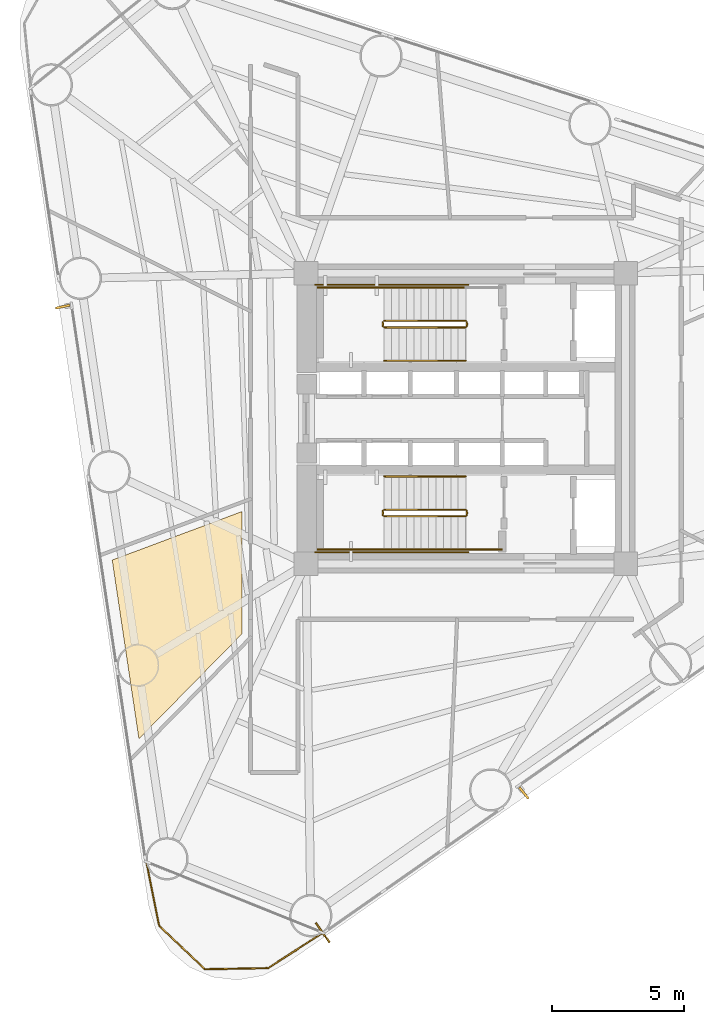
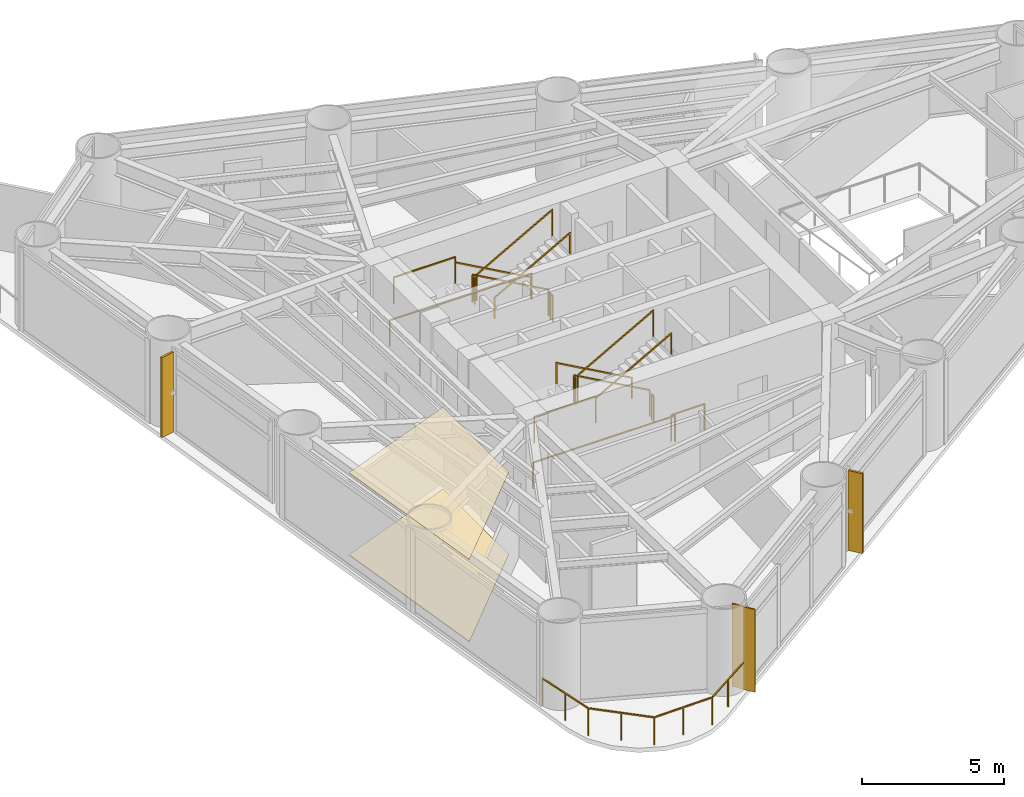
# One storey, part 8 of 9: 18 railings, 3 coverings, 2 shading devices.
"""IFC4 building model written with IfcOpenShell, lengths in metres."""

from ifc_helpers import new_model, si_unit, direction, frame, origin, origin_2d, place, context, subcontext, project, spatial, polyline, rectangle, outline, extrude, source, transform, mapped, material, layer, layer_set, material_profile, profile_set, type_object, element, save


model = new_model("IFC4")

# Units and contexts
model_context = context("Model", 3, precision=1e-05, world=origin(), true_north=direction((0.0, 1.0)))
body_context = subcontext(model_context, "Body", "Model", "MODEL_VIEW")
ifc_project = project(units=[si_unit("LENGTHUNIT", "METRE"), si_unit("AREAUNIT", "SQUARE_METRE"), si_unit("VOLUMEUNIT", "CUBIC_METRE"), si_unit("PLANEANGLEUNIT", "RADIAN"), si_unit("MASSUNIT", "GRAM", prefix="KILO")], contexts=[model_context])

# Site, building, storey
site_placement = place(None, origin())
site = spatial("IfcSite", under=ifc_project, at=site_placement, CompositionType="ELEMENT")
building_placement = place(site_placement, origin())
building = spatial("IfcBuilding", under=site, at=building_placement, Name="Yunling Apex Tower", CompositionType="ELEMENT")
storey_placement = place(building_placement, frame((0.0, 0.0, 77.300048828125)))
storey = spatial("IfcBuildingStorey", under=building, at=storey_placement, Name="L20", CompositionType="ELEMENT", Elevation=77.300048828125)

# Coverings
ifc_material_1 = material(Name="Acoustic mineral fibre ceiling")
ifc_layer_1 = layer(ifc_material_1, 0.02490234375)
ifc_layer_set_1 = layer_set([ifc_layer_1], Name="Acoustic mineral fibre ceiling")
covering_type_1 = type_object("IfcCoveringType", Name="CV-CLG-1", PredefinedType="CEILING", material=ifc_layer_set_1)
covering_1_placement = place(storey_placement, frame((0.0, 0.0, 3.5400390625)))
element("IfcCovering", 1, at=covering_1_placement, inside=storey, type_object=covering_type_1, Name="CV-CL-SP-L20-R01", PredefinedType="CEILING", context=body_context, shape_type="SweptSolid", body=[
    extrude(outline(polyline([(-12.374267578125, -12.121337890625), (-13.38525390625, -5.35693359375), (-8.47998046875, -3.522705078125), (-8.47998046875, -8.158447265625), (-12.374267578125, -12.121337890625)])), origin(), (0.0, 0.0, 1.0), 0.02490234375),
])
ifc_material_2 = material(Name="Polished granite stone", Category="masonry")
ifc_layer_2 = layer(ifc_material_2, 0.030029296875)
ifc_layer_set_2 = layer_set([ifc_layer_2], Name="Polished granite stone")
covering_type_2 = type_object("IfcCoveringType", Name="CV-FLR-1", PredefinedType="FLOORING", material=ifc_layer_set_2)
covering_2_placement = place(storey_placement, origin())
element("IfcCovering", 2, at=covering_2_placement, inside=storey, type_object=covering_type_2, Name="CV-FL-SP-L20-R01", PredefinedType="FLOORING", context=body_context, shape_type="SweptSolid", body=[
    extrude(outline(polyline([(-12.374267578125, -12.121337890625), (-13.38525390625, -5.35693359375), (-8.47998046875, -3.522705078125), (-8.47998046875, -8.158447265625), (-12.374267578125, -12.121337890625)])), origin(), (0.0, 0.0, 1.0), 0.030029296875),
])

# Railings
ifc_material_3 = material(Name="Bronze anodised aluminium", Category="aluminium")
railing_type_1 = type_object("IfcRailingType", Name="RL-BAL-1200", PredefinedType="BALUSTRADE", material=ifc_material_3)
railing_1_placement = place(storey_placement, frame((-5.41552734375, -19.466796875, 0.0)))
element("IfcRailing", 3, at=railing_1_placement, inside=storey, type_object=railing_type_1, Name="RL-CRNSILL-L20-3", PredefinedType="BALUSTRADE", context=body_context, shape_type="SweptSolid", body=[
    extrude(rectangle(XDim=0.0439453125, YDim=0.0439453125, at=origin_2d()), origin(), (0.0, 0.0, 1.0), 1.199951171875),
    extrude(rectangle(XDim=0.0439453125, YDim=0.0439453125, at=origin_2d()), frame((-2.069091796875, -1.3349609375, 0.0)), (0.0, 0.0, 1.0), 1.199951171875),
    extrude(rectangle(XDim=0.050048828125, YDim=0.050048828125, at=origin_2d()), frame((-0.0322265625, -0.020751953125, 1.1748046875), z_axis=(-0.840284992051, -0.542144936464, 0.0), x_axis=(0.542144936464, -0.840284992051, 0.0)), (0.0, 0.0, 1.0), 2.3857421875),
    extrude(rectangle(XDim=0.0439453125, YDim=0.0439453125, at=origin_2d()), frame((-1.03466796875, -0.66748046875, 0.0)), (0.0, 0.0, 1.0), 1.14599609375),
    extrude(rectangle(XDim=0.0439453125, YDim=0.0439453125, at=origin_2d()), frame((-4.456787109375, -1.3779296875, 0.0)), (0.0, 0.0, 1.0), 1.199951171875),
    extrude(rectangle(XDim=0.050048828125, YDim=0.050048828125, at=origin_2d()), frame((-2.107421875, -1.335693359375, 1.1748046875), z_axis=(-0.999838112931, -0.017992996715, 0.0), x_axis=(0.017992996715, -0.999838112931, 0.0)), (0.0, 0.0, 1.0), 2.3115234375),
    extrude(rectangle(XDim=0.0439453125, YDim=0.0439453125, at=origin_2d()), frame((-3.262939453125, -1.3564453125, 0.0)), (0.0, 0.0, 1.0), 1.14599609375),
    extrude(rectangle(XDim=0.0439453125, YDim=0.0439453125, at=origin_2d()), frame((-6.1943359375, 0.271728515625, 0.0)), (0.0, 0.0, 1.0), 1.199951171875),
    extrude(rectangle(XDim=0.050048828125, YDim=0.050048828125, at=origin_2d()), frame((-4.484619140625, -1.3515625, 1.1748046875), z_axis=(-0.725210560755, 0.688527154562, 0.0), x_axis=(-0.688527154562, -0.725210560755, 0.0)), (0.0, 0.0, 1.0), 2.3193359375),
    extrude(rectangle(XDim=0.0439453125, YDim=0.0439453125, at=origin_2d()), frame((-5.32568359375, -0.55322265625, 0.0)), (0.0, 0.0, 1.0), 1.14599609375),
    extrude(rectangle(XDim=0.0439453125, YDim=0.0439453125, at=origin_2d()), frame((-6.6767578125, 2.685302734375, 0.0)), (0.0, 0.0, 1.0), 1.199951171875),
    extrude(rectangle(XDim=0.050048828125, YDim=0.050048828125, at=origin_2d()), frame((-6.201904296875, 0.309326171875, 1.1748046875), z_axis=(-0.196001682493, 0.980603559274, 0.0), x_axis=(-0.980603559274, -0.196001682493, 0.0)), (0.0, 0.0, 1.0), 2.384765625),
    extrude(rectangle(XDim=0.0439453125, YDim=0.0439453125, at=origin_2d()), frame((-6.435546875, 1.478515625, 0.0)), (0.0, 0.0, 1.0), 1.14599609375),
])
ifc_material_4 = material(Name="Steel Q355B", Category="steel")
railing_type_2 = type_object("IfcRailingType", Name="RL-GRD-1150", PredefinedType="GUARDRAIL", material=ifc_material_4)
railing_2_placement = place(storey_placement, frame((-0.010009765625, 3.699951171875, 0.15625)))
element("IfcRailing", 4, at=railing_2_placement, inside=storey, type_object=railing_type_2, Name="L20 ST-1 stair guard 1", PredefinedType="GUARDRAIL", context=body_context, shape_type="SweptSolid", body=[
    extrude(rectangle(XDim=0.0439453125, YDim=0.0439453125, at=origin_2d()), origin(), (0.0, 0.0, 1.0), 1.14990234375),
    extrude(rectangle(XDim=0.0439453125, YDim=0.0439453125, at=origin_2d()), frame((-3.080078125, 0.0, 1.71875)), (0.0, 0.0, 1.0), 1.14990234375),
    extrude(rectangle(XDim=0.050048828125, YDim=0.050048828125, at=origin_2d()), frame((-0.033447265625, 0.0, 1.1435546875), z_axis=(-0.873241540666, 0.0, 0.487287606713), x_axis=(0.0, -1.0, 0.0)), (0.0, 0.0, 1.0), 3.450439453125),
])
railing_3_placement = place(storey_placement, frame((-3.139892578125, 3.64990234375, 1.875)))
element("IfcRailing", 5, at=railing_3_placement, inside=storey, type_object=railing_type_2, Name="L20 ST-1 stair guard 2", PredefinedType="GUARDRAIL", context=body_context, shape_type="SweptSolid", body=[
    extrude(rectangle(XDim=0.0439453125, YDim=0.0439453125, at=origin_2d()), origin(), (0.0, 0.0, 1.0), 1.14990234375),
    extrude(rectangle(XDim=0.0439453125, YDim=0.0439453125, at=origin_2d()), frame((0.0, -0.14990234375, 0.0)), (0.0, 0.0, 1.0), 1.14990234375),
    extrude(rectangle(XDim=0.050048828125, YDim=0.050048828125, at=origin_2d()), frame((0.0, -0.038330078125, 1.125), z_axis=(0.0, -1.0, 0.0), x_axis=(1.0, 0.0, 0.0)), (0.0, 0.0, 1.0), 0.0732421875),
])
railing_4_placement = place(storey_placement, frame((-3.090087890625, 4.9599609375, 1.875)))
element("IfcRailing", 6, at=railing_4_placement, inside=storey, type_object=railing_type_2, Name="L20 ST-1 stair guard 3", PredefinedType="GUARDRAIL", context=body_context, shape_type="SweptSolid", body=[
    extrude(rectangle(XDim=0.0439453125, YDim=0.0439453125, at=origin_2d()), origin(), (0.0, 0.0, 1.0), 1.14990234375),
    extrude(rectangle(XDim=0.0439453125, YDim=0.0439453125, at=origin_2d()), frame((-2.510009765625, 0.0, 0.0)), (0.0, 0.0, 1.0), 1.14990234375),
    extrude(rectangle(XDim=0.050048828125, YDim=0.050048828125, at=origin_2d()), frame((-0.038330078125, 0.0, 1.125), z_axis=(-1.0, 0.0, 0.0), x_axis=(0.0, -1.0, 0.0)), (0.0, 0.0, 1.0), 2.433349609375),
])
railing_5_placement = place(storey_placement, frame((-3.090087890625, 3.449951171875, 2.03125)))
element("IfcRailing", 7, at=railing_5_placement, inside=storey, type_object=railing_type_2, Name="L20 ST-1 stair guard 4", PredefinedType="GUARDRAIL", context=body_context, shape_type="SweptSolid", body=[
    extrude(rectangle(XDim=0.0439453125, YDim=0.0439453125, at=origin_2d()), origin(), (0.0, 0.0, 1.0), 1.14990234375),
    extrude(rectangle(XDim=0.0439453125, YDim=0.0439453125, at=origin_2d()), frame((3.080078125, 0.0, 1.71875)), (0.0, 0.0, 1.0), 1.14990234375),
    extrude(rectangle(XDim=0.050048828125, YDim=0.050048828125, at=origin_2d()), frame((0.033447265625, 0.0, 1.1435546875), z_axis=(0.873241540666, 0.0, 0.487287606713), x_axis=(0.0, 1.0, 0.0)), (0.0, 0.0, 1.0), 3.450439453125),
])
railing_6_placement = place(storey_placement, frame((0.0400390625, 3.64990234375, 0.0)))
element("IfcRailing", 8, at=railing_6_placement, inside=storey, type_object=railing_type_2, Name="L20 ST-1 stair guard 5", PredefinedType="GUARDRAIL", context=body_context, shape_type="SweptSolid", body=[
    extrude(rectangle(XDim=0.0439453125, YDim=0.0439453125, at=origin_2d()), origin(), (0.0, 0.0, 1.0), 1.14990234375),
    extrude(rectangle(XDim=0.0439453125, YDim=0.0439453125, at=origin_2d()), frame((0.0, -0.14990234375, 0.0)), (0.0, 0.0, 1.0), 1.14990234375),
    extrude(rectangle(XDim=0.050048828125, YDim=0.050048828125, at=origin_2d()), frame((0.0, -0.038330078125, 1.125), z_axis=(0.0, -1.0, 0.0), x_axis=(1.0, 0.0, 0.0)), (0.0, 0.0, 1.0), 0.0732421875),
])
railing_7_placement = place(storey_placement, frame((0.090087890625, 5.06005859375, 0.0)))
element("IfcRailing", 9, at=railing_7_placement, inside=storey, type_object=railing_type_2, Name="L20 ST-1 stair guard 7", PredefinedType="GUARDRAIL", context=body_context, shape_type="SweptSolid", body=[
    extrude(rectangle(XDim=0.0439453125, YDim=0.0439453125, at=origin_2d()), origin(), (0.0, 0.0, 1.0), 1.14990234375),
    extrude(rectangle(XDim=0.0439453125, YDim=0.0439453125, at=origin_2d()), frame((-5.7900390625, 0.0, 0.0)), (0.0, 0.0, 1.0), 1.14990234375),
    extrude(rectangle(XDim=0.050048828125, YDim=0.050048828125, at=origin_2d()), frame((-0.038330078125, 0.0, 1.125), z_axis=(-1.0, 0.0, 0.0), x_axis=(0.0, -1.0, 0.0)), (0.0, 0.0, 1.0), 5.71337890625),
])
railing_8_placement = place(storey_placement, frame((-0.010009765625, -3.449951171875, 0.15625)))
element("IfcRailing", 10, at=railing_8_placement, inside=storey, type_object=railing_type_2, Name="L20 ST-2 stair guard 1", PredefinedType="GUARDRAIL", context=body_context, shape_type="SweptSolid", body=[
    extrude(rectangle(XDim=0.0439453125, YDim=0.0439453125, at=origin_2d()), origin(), (0.0, 0.0, 1.0), 1.14990234375),
    extrude(rectangle(XDim=0.0439453125, YDim=0.0439453125, at=origin_2d()), frame((-3.080078125, 0.0, 1.71875)), (0.0, 0.0, 1.0), 1.14990234375),
    extrude(rectangle(XDim=0.050048828125, YDim=0.050048828125, at=origin_2d()), frame((-0.033447265625, 0.0, 1.1435546875), z_axis=(-0.873241540666, 0.0, 0.487287606713), x_axis=(0.0, -1.0, 0.0)), (0.0, 0.0, 1.0), 3.450439453125),
])
railing_9_placement = place(storey_placement, frame((-3.139892578125, -3.5, 1.875)))
element("IfcRailing", 11, at=railing_9_placement, inside=storey, type_object=railing_type_2, Name="L20 ST-2 stair guard 2", PredefinedType="GUARDRAIL", context=body_context, shape_type="SweptSolid", body=[
    extrude(rectangle(XDim=0.0439453125, YDim=0.0439453125, at=origin_2d()), origin(), (0.0, 0.0, 1.0), 1.14990234375),
    extrude(rectangle(XDim=0.0439453125, YDim=0.0439453125, at=origin_2d()), frame((0.0, -0.14990234375, 0.0)), (0.0, 0.0, 1.0), 1.14990234375),
    extrude(rectangle(XDim=0.050048828125, YDim=0.050048828125, at=origin_2d()), frame((0.0, -0.038330078125, 1.125), z_axis=(0.0, -1.0, 0.0), x_axis=(1.0, 0.0, 0.0)), (0.0, 0.0, 1.0), 0.0732421875),
])
railing_10_placement = place(storey_placement, frame((-3.090087890625, -4.9599609375, 1.875)))
element("IfcRailing", 12, at=railing_10_placement, inside=storey, type_object=railing_type_2, Name="L20 ST-2 stair guard 3", PredefinedType="GUARDRAIL", context=body_context, shape_type="SweptSolid", body=[
    extrude(rectangle(XDim=0.0439453125, YDim=0.0439453125, at=origin_2d()), origin(), (0.0, 0.0, 1.0), 1.14990234375),
    extrude(rectangle(XDim=0.0439453125, YDim=0.0439453125, at=origin_2d()), frame((-2.510009765625, 0.0, 0.0)), (0.0, 0.0, 1.0), 1.14990234375),
    extrude(rectangle(XDim=0.050048828125, YDim=0.050048828125, at=origin_2d()), frame((-0.038330078125, 0.0, 1.125), z_axis=(-1.0, 0.0, 0.0), x_axis=(0.0, -1.0, 0.0)), (0.0, 0.0, 1.0), 2.433349609375),
])
railing_11_placement = place(storey_placement, frame((-3.090087890625, -3.699951171875, 2.03125)))
element("IfcRailing", 13, at=railing_11_placement, inside=storey, type_object=railing_type_2, Name="L20 ST-2 stair guard 4", PredefinedType="GUARDRAIL", context=body_context, shape_type="SweptSolid", body=[
    extrude(rectangle(XDim=0.0439453125, YDim=0.0439453125, at=origin_2d()), origin(), (0.0, 0.0, 1.0), 1.14990234375),
    extrude(rectangle(XDim=0.0439453125, YDim=0.0439453125, at=origin_2d()), frame((3.080078125, 0.0, 1.71875)), (0.0, 0.0, 1.0), 1.14990234375),
    extrude(rectangle(XDim=0.050048828125, YDim=0.050048828125, at=origin_2d()), frame((0.033447265625, 0.0, 1.1435546875), z_axis=(0.873241540666, 0.0, 0.487287606713), x_axis=(0.0, 1.0, 0.0)), (0.0, 0.0, 1.0), 3.450439453125),
])
railing_12_placement = place(storey_placement, frame((0.0400390625, -3.5, 0.0)))
element("IfcRailing", 14, at=railing_12_placement, inside=storey, type_object=railing_type_2, Name="L20 ST-2 stair guard 5", PredefinedType="GUARDRAIL", context=body_context, shape_type="SweptSolid", body=[
    extrude(rectangle(XDim=0.0439453125, YDim=0.0439453125, at=origin_2d()), origin(), (0.0, 0.0, 1.0), 1.14990234375),
    extrude(rectangle(XDim=0.0439453125, YDim=0.0439453125, at=origin_2d()), frame((0.0, -0.14990234375, 0.0)), (0.0, 0.0, 1.0), 1.14990234375),
    extrude(rectangle(XDim=0.050048828125, YDim=0.050048828125, at=origin_2d()), frame((0.0, -0.038330078125, 1.125), z_axis=(0.0, -1.0, 0.0), x_axis=(1.0, 0.0, 0.0)), (0.0, 0.0, 1.0), 0.0732421875),
])
railing_13_placement = place(storey_placement, frame((1.35009765625, -4.9599609375, 0.0)))
element("IfcRailing", 15, at=railing_13_placement, inside=storey, type_object=railing_type_2, Name="L20 ST-2 stair guard 6", PredefinedType="GUARDRAIL", context=body_context, shape_type="SweptSolid", body=[
    extrude(rectangle(XDim=0.0439453125, YDim=0.0439453125, at=origin_2d()), origin(), (0.0, 0.0, 1.0), 1.14990234375),
    extrude(rectangle(XDim=0.0439453125, YDim=0.0439453125, at=origin_2d()), frame((-1.360107421875, 0.0, 0.0)), (0.0, 0.0, 1.0), 1.14990234375),
    extrude(rectangle(XDim=0.050048828125, YDim=0.050048828125, at=origin_2d()), frame((-0.038330078125, 0.0, 1.125), z_axis=(-1.0, 0.0, 0.0), x_axis=(0.0, -1.0, 0.0)), (0.0, 0.0, 1.0), 1.283447265625),
])
railing_14_placement = place(storey_placement, frame((0.090087890625, -5.06005859375, 0.0)))
element("IfcRailing", 16, at=railing_14_placement, inside=storey, type_object=railing_type_2, Name="L20 ST-2 stair guard 7", PredefinedType="GUARDRAIL", context=body_context, shape_type="SweptSolid", body=[
    extrude(rectangle(XDim=0.0439453125, YDim=0.0439453125, at=origin_2d()), origin(), (0.0, 0.0, 1.0), 1.14990234375),
    extrude(rectangle(XDim=0.0439453125, YDim=0.0439453125, at=origin_2d()), frame((-5.7900390625, 0.0, 0.0)), (0.0, 0.0, 1.0), 1.14990234375),
    extrude(rectangle(XDim=0.050048828125, YDim=0.050048828125, at=origin_2d()), frame((-0.038330078125, 0.0, 1.125), z_axis=(-1.0, 0.0, 0.0), x_axis=(0.0, -1.0, 0.0)), (0.0, 0.0, 1.0), 5.71337890625),
])
ifc_material_5 = material(Name="Silver anodised aluminium", Category="aluminium")
railing_type_3 = type_object("IfcRailingType", Name="RL-HND-900", PredefinedType="HANDRAIL", material=ifc_material_5)
railing_15_placement = place(storey_placement, frame((-0.010009765625, 4.9599609375, 0.15625)))
element("IfcRailing", 17, at=railing_15_placement, inside=storey, type_object=railing_type_3, Name="L20 ST-1 stair handrail 1", PredefinedType="HANDRAIL", context=body_context, shape_type="SweptSolid", body=[
    extrude(rectangle(XDim=0.0439453125, YDim=0.0439453125, at=origin_2d()), origin(), (0.0, 0.0, 1.0), 0.919921875),
    extrude(rectangle(XDim=0.0439453125, YDim=0.0439453125, at=origin_2d()), frame((-3.080078125, 0.0, 1.71875)), (0.0, 0.0, 1.0), 0.919921875),
    extrude(rectangle(XDim=0.050048828125, YDim=0.050048828125, at=origin_2d()), frame((-0.033447265625, 0.0, 0.91357421875), z_axis=(-0.873241540666, 0.0, 0.487287606713), x_axis=(0.0, -1.0, 0.0)), (0.0, 0.0, 1.0), 3.450439453125),
])
railing_16_placement = place(storey_placement, frame((-3.090087890625, 2.18994140625, 2.03125)))
element("IfcRailing", 18, at=railing_16_placement, inside=storey, type_object=railing_type_3, Name="L20 ST-1 stair handrail 2", PredefinedType="HANDRAIL", context=body_context, shape_type="SweptSolid", body=[
    extrude(rectangle(XDim=0.0439453125, YDim=0.0439453125, at=origin_2d()), origin(), (0.0, 0.0, 1.0), 0.919921875),
    extrude(rectangle(XDim=0.0439453125, YDim=0.0439453125, at=origin_2d()), frame((3.080078125, 0.0, 1.71875)), (0.0, 0.0, 1.0), 0.919921875),
    extrude(rectangle(XDim=0.050048828125, YDim=0.050048828125, at=origin_2d()), frame((0.033447265625, 0.0, 0.91357421875), z_axis=(0.873241540666, 0.0, 0.487287606713), x_axis=(0.0, 1.0, 0.0)), (0.0, 0.0, 1.0), 3.450439453125),
])
railing_17_placement = place(storey_placement, frame((-0.010009765625, -2.18994140625, 0.15625)))
element("IfcRailing", 19, at=railing_17_placement, inside=storey, type_object=railing_type_3, Name="L20 ST-2 stair handrail 1", PredefinedType="HANDRAIL", context=body_context, shape_type="SweptSolid", body=[
    extrude(rectangle(XDim=0.0439453125, YDim=0.0439453125, at=origin_2d()), origin(), (0.0, 0.0, 1.0), 0.919921875),
    extrude(rectangle(XDim=0.0439453125, YDim=0.0439453125, at=origin_2d()), frame((-3.080078125, 0.0, 1.71875)), (0.0, 0.0, 1.0), 0.919921875),
    extrude(rectangle(XDim=0.050048828125, YDim=0.050048828125, at=origin_2d()), frame((-0.033447265625, 0.0, 0.91357421875), z_axis=(-0.873241540666, 0.0, 0.487287606713), x_axis=(0.0, -1.0, 0.0)), (0.0, 0.0, 1.0), 3.450439453125),
])
railing_18_placement = place(storey_placement, frame((-3.090087890625, -4.9599609375, 2.03125)))
element("IfcRailing", 20, at=railing_18_placement, inside=storey, type_object=railing_type_3, Name="L20 ST-2 stair handrail 2", PredefinedType="HANDRAIL", context=body_context, shape_type="SweptSolid", body=[
    extrude(rectangle(XDim=0.0439453125, YDim=0.0439453125, at=origin_2d()), origin(), (0.0, 0.0, 1.0), 0.919921875),
    extrude(rectangle(XDim=0.0439453125, YDim=0.0439453125, at=origin_2d()), frame((3.080078125, 0.0, 1.71875)), (0.0, 0.0, 1.0), 0.919921875),
    extrude(rectangle(XDim=0.050048828125, YDim=0.050048828125, at=origin_2d()), frame((0.033447265625, 0.0, 0.91357421875), z_axis=(0.873241540666, 0.0, 0.487287606713), x_axis=(0.0, 1.0, 0.0)), (0.0, 0.0, 1.0), 3.450439453125),
])

# Covering
ifc_layer_3 = layer(ifc_material_3, 0.0400390625)
ifc_layer_set_3 = layer_set([ifc_layer_3], Name="Bronze anodised aluminium")
covering_type_3 = type_object("IfcCoveringType", Name="CV-CLD-1", PredefinedType="CLADDING", material=ifc_layer_set_3)
shared_shape_1 = source(origin(), body_context, "Body", "SweptSolid", [
    extrude(rectangle(XDim=0.06005859375, YDim=0.89990234375, at=origin_2d()), origin(), (0.0, 0.0, 1.0), 3.56494140625),
])
covering_3_placement = place(storey_placement, frame((-5.42138671875, -19.45849609375, 0.0), z_axis=(0.0, 0.0, 1.0), x_axis=(0.819552276527, 0.573004420611, 0.0)))
element("IfcCovering", 21, at=covering_3_placement, inside=storey, type_object=covering_type_3, Name="CV-CLD-L20", PredefinedType="CLADDING", context=body_context, shape_type="MappedRepresentation", body=[
    mapped(shared_shape_1, transform((0.0, 0.0, 0.0), scale=1.0)),
])

# Shading devices
ifc_material_profile = material_profile(ifc_material_3, rectangle(XDim=0.0849609375, YDim=0.550048828125, at=origin_2d()))
ifc_profile_set = profile_set([ifc_material_profile], Name="Bronze anodised aluminium")
shading_device_type = type_object("IfcShadingDeviceType", Name="FN-BRZ-3", PredefinedType="USERDEFINED", material=ifc_profile_set)
shared_shape_2 = source(origin(), body_context, "Body", "SweptSolid", [
    extrude(rectangle(XDim=0.0849609375, YDim=0.550048828125, at=origin_2d()), origin(), (0.0, 0.0, 1.0), 3.445068359375),
])
for number, where, z_axis, x_axis, name in (
    (22, (2.197509765625, -14.17431640625, 0.06005859375), (0.0, 0.0, 1.0), (0.780321270022, 0.625378857614, 0.0), "CW-L20-F1-B2-FIN-01"),
    (23, (-15.25830078125, 4.233642578125, 0.06005859375), (0.0, 0.0, 1.0), (0.212177672156, -0.977231106463, 0.0), "CW-L20-F3-B2-FIN-01"),
):
    element("IfcShadingDevice", number, at=place(storey_placement, frame(where, z_axis=z_axis, x_axis=x_axis)), inside=storey, type_object=shading_device_type, Name=name, ObjectType="FIN", PredefinedType="USERDEFINED", context=body_context, shape_type="MappedRepresentation", body=[
        mapped(shared_shape_2, transform((0.0, 0.0, 0.0), scale=1.0)),
    ])

save(model, "model.ifc")
